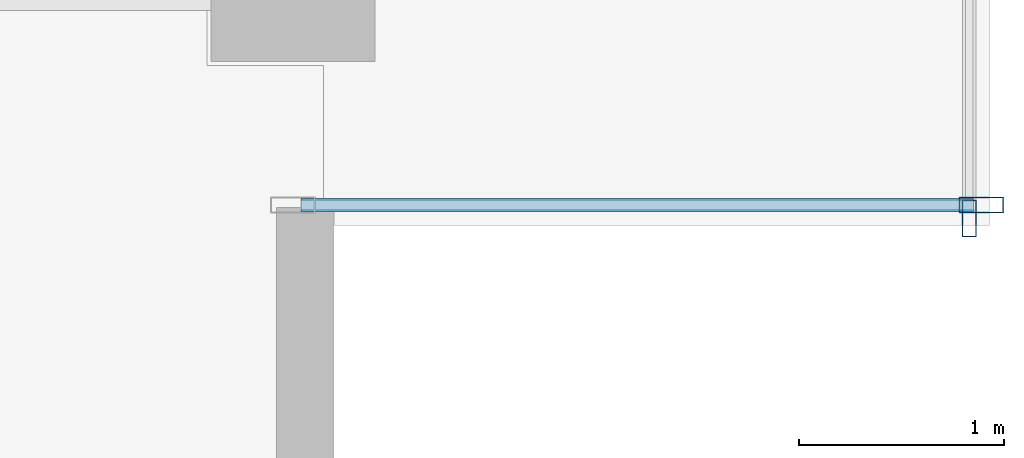
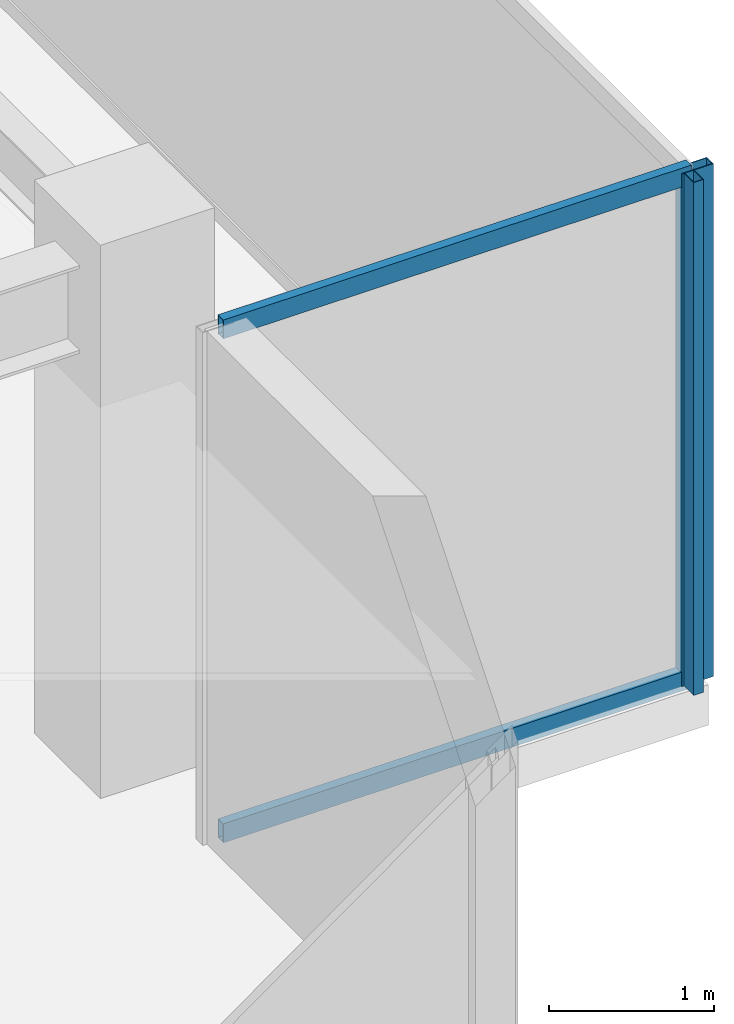
# One storey, part 22 of 36: 4 members, 2 elements without a shape of their own.
"""IFC4 building model written with IfcOpenShell, lengths in metres."""

from ifc_helpers import new_model, si_unit, direction, frame, origin, origin_2d, place, context, subcontext, project, spatial, hollow_rectangle, extrude, source, transform, mapped, material, layer, layer_set, material_profile, profile_set, type_object, type_shapes, element, aggregate, save


model = new_model("IFC4")

# Units and contexts
model_context = context("Model", 3, precision=1e-05, world=origin(), true_north=direction((0.0, 1.0)))
body_context = subcontext(model_context, "Body", "Model", "MODEL_VIEW")
ifc_project = project(units=[si_unit("LENGTHUNIT", "METRE"), si_unit("AREAUNIT", "SQUARE_METRE"), si_unit("VOLUMEUNIT", "CUBIC_METRE"), si_unit("PLANEANGLEUNIT", "RADIAN"), si_unit("MASSUNIT", "GRAM", prefix="KILO")], contexts=[model_context])

# Site, building, storey
site_placement = place(None, origin())
site = spatial("IfcSite", under=ifc_project, at=site_placement, CompositionType="ELEMENT")
building_placement = place(site_placement, origin())
building = spatial("IfcBuilding", under=site, at=building_placement, Name="Haelvirn Gate Laboratories", CompositionType="ELEMENT")
storey_placement = place(building_placement, frame((0.0, 0.0, 242.39990234375)))
storey = spatial("IfcBuildingStorey", under=building, at=storey_placement, Name="L58", CompositionType="ELEMENT", Elevation=242.39990234375)

# Curtain wall, members
ifc_material_1 = material(Name="Anodised bronze unitised aluminium & triple low-E glass", Category="aluminium")
ifc_layer_1 = layer(ifc_material_1, 0.181884765625, Name="CW-SYS-5")
ifc_layer_set_1 = layer_set([ifc_layer_1], Name="Anodised bronze unitised aluminium & triple low-E glass")
curtain_wall_type_1 = type_object("IfcCurtainWallType", Name="CW-SYS-5", PredefinedType="NOTDEFINED", material=ifc_layer_set_1)
curtain_wall_1_placement = place(storey_placement, origin())
curtain_wall_1 = element("IfcCurtainWall", 1, at=curtain_wall_1_placement, inside=storey, type_object=curtain_wall_type_1, Name="L58 Unitised Curtain Wall CW-L58-P0-E06-1", PredefinedType="NOTDEFINED")
ifc_material_2 = material(Name="Extruded aluminium 6063-T6 (anodised bronze)", Category="aluminium")
ifc_material_profile_1 = material_profile(ifc_material_2, hollow_rectangle(XDim=0.06494140625, YDim=0.139892578125, WallThickness=0.00390625, at=origin_2d()), Name="CWT-140x65x4")
ifc_profile_set_1 = profile_set([ifc_material_profile_1], Name="Extruded aluminium 6063-T6 (anodised bronze)")
member_type_1 = type_object("IfcMemberType", Name="CWT-T140", PredefinedType="USERDEFINED", material=ifc_profile_set_1)
shared_shape_1 = source(origin(), body_context, "Body", "SweptSolid", [
    extrude(hollow_rectangle(XDim=0.06494140625, YDim=0.139892578125, WallThickness=0.00390625, at=origin_2d()), origin(), (0.0, 0.0, 1.0), 3.280029296875),
])
type_shapes(member_type_1, [shared_shape_1])
member_1_placement = place(storey_placement, frame((67.43994140625, 5.89990234375, 0.03271484375), z_axis=(1.0, 0.0, 0.0), x_axis=(0.0, 1.0, 0.0)))
member_1 = element("IfcMember", 2, at=member_1_placement, type_object=member_type_1, Name="CW5 transom 1.1", ObjectType="TRANSOM", PredefinedType="USERDEFINED", context=body_context, shape_type="MappedRepresentation", body=[
    mapped(shared_shape_1, transform((0.0, 0.0, 0.0), scale=1.0)),
])
member_2_placement = place(storey_placement, frame((67.43994140625, 5.89990234375, 3.767578125), z_axis=(1.0, 0.0, 0.0), x_axis=(0.0, 1.0, 0.0)))
member_2 = element("IfcMember", 3, at=member_2_placement, type_object=member_type_1, Name="CW5 transom 1.2", ObjectType="TRANSOM", PredefinedType="USERDEFINED", context=body_context, shape_type="MappedRepresentation", body=[
    mapped(shared_shape_1, transform((0.0, 0.0, 0.0), scale=1.0)),
])

# Curtain wall, member
ifc_layer_2 = layer(ifc_material_1, 0.176025390625, Name="CW-SYS-4")
ifc_layer_set_2 = layer_set([ifc_layer_2], Name="Anodised bronze unitised aluminium & triple low-E glass")
curtain_wall_type_2 = type_object("IfcCurtainWallType", Name="CW-SYS-4", PredefinedType="NOTDEFINED", material=ifc_layer_set_2)
curtain_wall_2_placement = place(storey_placement, origin())
curtain_wall_2 = element("IfcCurtainWall", 4, at=curtain_wall_2_placement, inside=storey, type_object=curtain_wall_type_2, Name="L58 Unitised Curtain Wall CW-L58-P0-E07", PredefinedType="NOTDEFINED")
ifc_material_profile_2 = material_profile(ifc_material_2, hollow_rectangle(XDim=0.070068359375, YDim=0.179931640625, WallThickness=0.0048828125, at=origin_2d()), Name="CWM-180x70x5")
ifc_profile_set_2 = profile_set([ifc_material_profile_2], Name="Extruded aluminium 6063-T6 (anodised bronze)")
member_type_2 = type_object("IfcMemberType", Name="CWM-T180", PredefinedType="MULLION", material=ifc_profile_set_2)
shared_shape_2 = source(origin(), body_context, "Body", "SweptSolid", [
    extrude(hollow_rectangle(XDim=0.070068359375, YDim=0.179931640625, WallThickness=0.0048828125, at=origin_2d()), origin(), (0.0, 0.0, 1.0), 3.800048828125),
])
type_shapes(member_type_2, [shared_shape_2])
member_3_placement = place(storey_placement, frame((70.699951171875, 5.8349609375, 0.0), z_axis=(0.0, 0.0, 1.0), x_axis=(-1.0, 0.0, 0.0)))
member_3 = element("IfcMember", 5, at=member_3_placement, type_object=member_type_2, Name="CW4 mullion 1", PredefinedType="MULLION", context=body_context, shape_type="MappedRepresentation", body=[
    mapped(shared_shape_2, transform((0.0, 0.0, 0.0), scale=1.0)),
])
aggregate(curtain_wall_2, [member_3])

# Member
ifc_material_profile_3 = material_profile(ifc_material_2, hollow_rectangle(XDim=0.080078125, YDim=0.219970703125, WallThickness=0.006103515625, at=origin_2d()), Name="CWM-220x80x6")
ifc_profile_set_3 = profile_set([ifc_material_profile_3], Name="Extruded aluminium 6063-T6 (anodised bronze)")
member_type_3 = type_object("IfcMemberType", Name="CWM-T220", PredefinedType="MULLION", material=ifc_profile_set_3)
shared_shape_3 = source(origin(), body_context, "Body", "SweptSolid", [
    extrude(hollow_rectangle(XDim=0.080078125, YDim=0.219970703125, WallThickness=0.006103515625, at=origin_2d()), origin(), (0.0, 0.0, 1.0), 3.800048828125),
])
type_shapes(member_type_3, [shared_shape_3])
member_4_placement = place(storey_placement, frame((70.760009765625, 5.89990234375, 0.0), z_axis=(0.0, 0.0, 1.0), x_axis=(0.0, 1.0, 0.0)))
member_4 = element("IfcMember", 6, at=member_4_placement, type_object=member_type_3, Name="CW5 mullion 2", PredefinedType="MULLION", context=body_context, shape_type="MappedRepresentation", body=[
    mapped(shared_shape_3, transform((0.0, 0.0, 0.0), scale=1.0)),
])

aggregate(curtain_wall_1, [member_4, member_1, member_2])

save(model, "model.ifc")
